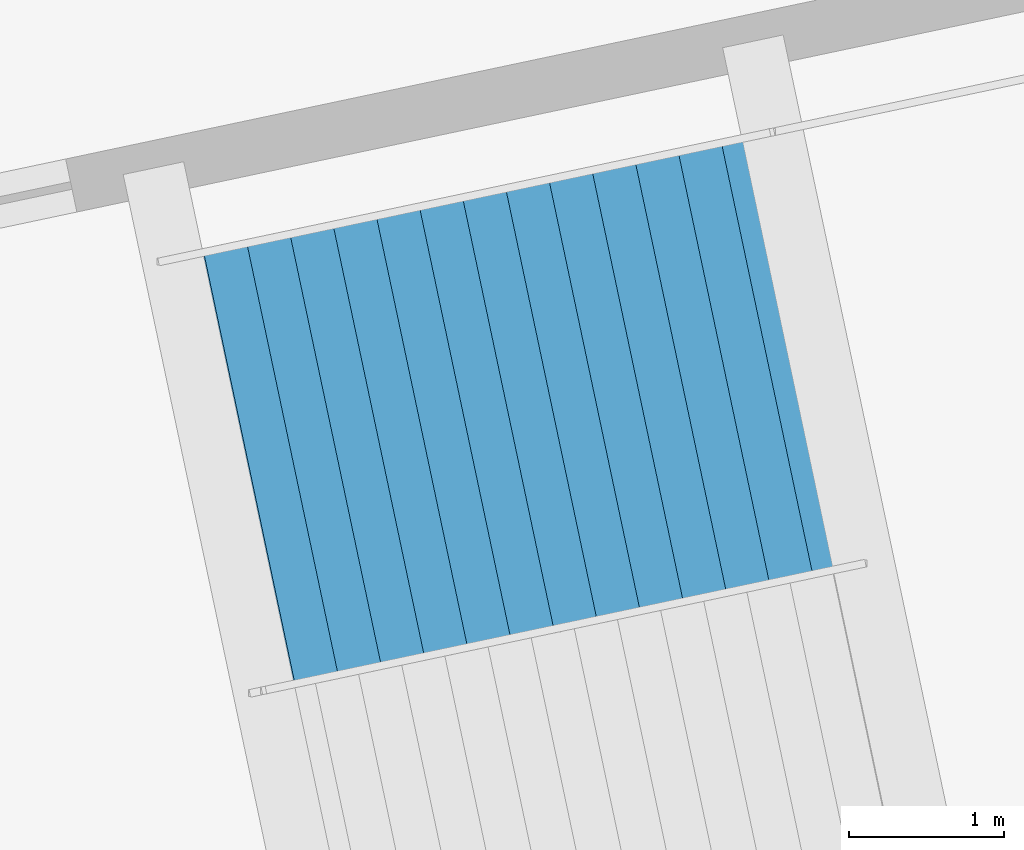
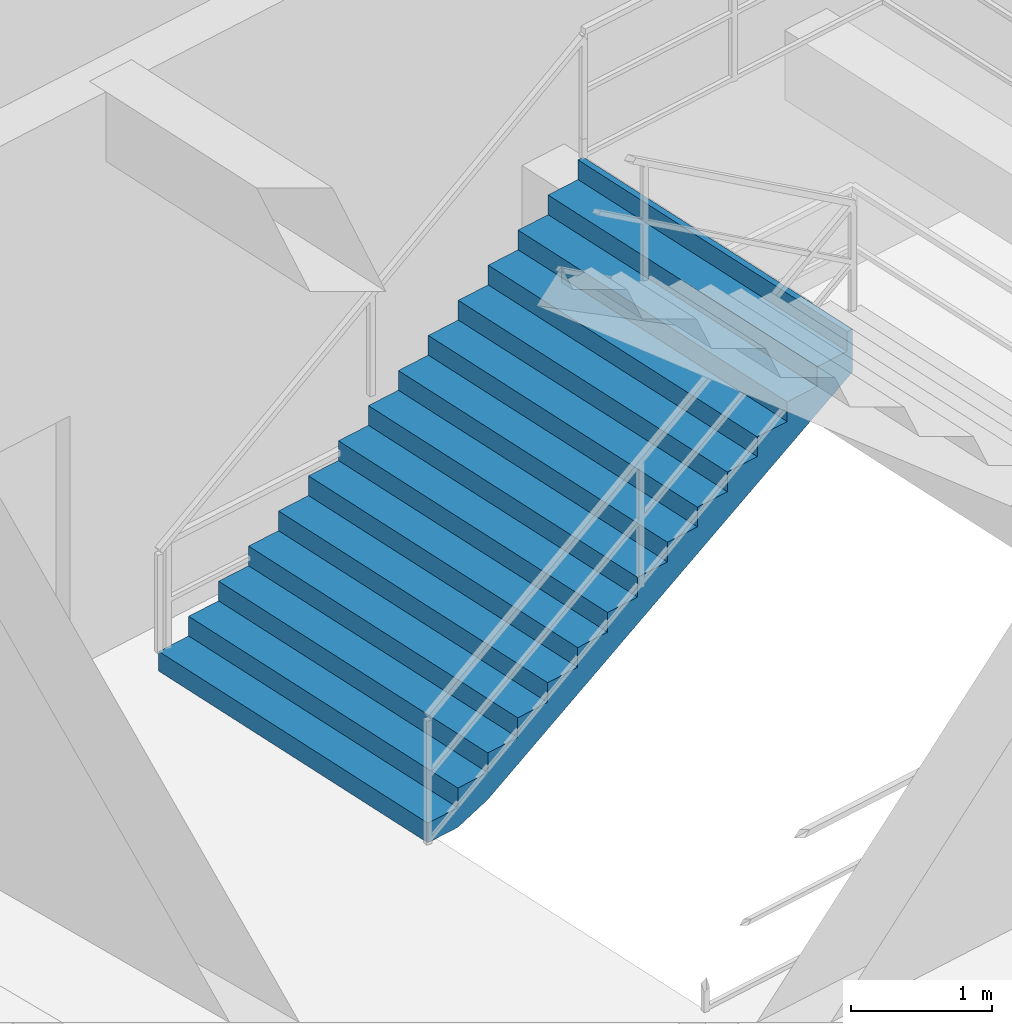
# One storey, part 160 of 184: 1 stair flight, 1 element without a shape of its own.
"""IFC4 building model written with IfcOpenShell, lengths in metres."""

import ifcopenshell
import ifcopenshell.guid

model = None  # the IFC model being written
_history = None  # IfcOwnerHistory: only IFC2X3 demands one
_inside = {}  # id of a spatial element -> (the spatial element, [elements in it])
_under = {}  # id of a project, library or spatial element -> (it, [spatial elements below it])
_declared = {}  # id of a project -> (the project, [libraries it declares])
_typed = {}  # id of a type object -> (the type object, [elements of that type])
_made_of = {}  # id of a material, layer set ... -> (it, [elements and type objects made of it])


def new_model(schema):
    """Start an empty IFC model of exactly this schema.

    Asked for "IFC4X3", IfcOpenShell would pick the latest addendum, in which some entities
    have other attributes; the version numbers below select the first issue.
    IFC2X3 requires an IfcOwnerHistory on every rooted entity: one is made here for all.
    """
    global model, _history
    if schema == "IFC4X3":
        model = ifcopenshell.file(schema_version=(4, 3, 0, 0))
    else:
        model = ifcopenshell.file(schema=schema)
    _inside.clear()
    _under.clear()
    _declared.clear()
    _typed.clear()
    _made_of.clear()
    _history = None
    if model.schema == "IFC2X3":
        org = make("IfcOrganization", Name="unknown")
        user = make(
            "IfcPersonAndOrganization",
            ThePerson=make("IfcPerson", FamilyName="unknown"),
            TheOrganization=org,
        )
        app = make(
            "IfcApplication",
            ApplicationDeveloper=org,
            Version="unknown",
            ApplicationFullName="unknown",
            ApplicationIdentifier="unknown",
        )
        _history = make(
            "IfcOwnerHistory",
            OwningUser=user,
            OwningApplication=app,
            ChangeAction="ADDED",
            CreationDate=0,
        )
    return model


def make(cls, **values):
    """One entity of the class cls with the attributes given. An attribute that is None is left unset."""
    return model.create_entity(
        cls, **{name: value for name, value in values.items() if value is not None}
    )


def rooted(cls, **values):
    """An entity with a GlobalId (a new one), such as an element, a storey or a relation."""
    return make(cls, GlobalId=ifcopenshell.guid.new(), OwnerHistory=_history, **values)


def si_unit(unit_type, name, prefix=None):
    """IfcSIUnit, for example si_unit("LENGTHUNIT", "METRE", prefix="MILLI")."""
    return make("IfcSIUnit", UnitType=unit_type, Prefix=prefix, Name=name)


def assignment(units):
    """IfcUnitAssignment: the units of a project."""
    return None if units is None else make("IfcUnitAssignment", Units=units)


def point(xyz):
    """IfcCartesianPoint."""
    return None if xyz is None else make("IfcCartesianPoint", Coordinates=xyz)


def direction(xyz):
    """IfcDirection."""
    return None if xyz is None else make("IfcDirection", DirectionRatios=xyz)


def frame(location, z_axis=None, x_axis=None):
    """IfcAxis2Placement3D, a coordinate frame: its origin and axes. An axis left out is left unset."""
    return make(
        "IfcAxis2Placement3D",
        Location=point(location),
        Axis=direction(z_axis),
        RefDirection=direction(x_axis),
    )


def origin():
    """The frame at (0, 0, 0) with its axes left unset."""
    return frame((0.0, 0.0, 0.0))


def place(relative_to, where):
    """IfcLocalPlacement: puts the frame where relative to a parent placement (None: the world)."""
    return make(
        "IfcLocalPlacement", PlacementRelTo=relative_to, RelativePlacement=where
    )


def context(
    kind, dimensions, precision=None, world=None, true_north=None, identifier=None
):
    """IfcGeometricRepresentationContext, for example the 3D "Model" context."""
    return make(
        "IfcGeometricRepresentationContext",
        ContextIdentifier=identifier,
        ContextType=kind,
        CoordinateSpaceDimension=dimensions,
        Precision=precision,
        WorldCoordinateSystem=world,
        TrueNorth=true_north,
    )


def subcontext(parent, identifier, kind, view, scale=None):
    """IfcGeometricRepresentationSubContext, for example "Body" below "Model"."""
    return make(
        "IfcGeometricRepresentationSubContext",
        ContextIdentifier=identifier,
        ContextType=kind,
        ParentContext=parent,
        TargetScale=scale,
        TargetView=view,
    )


def project(units=None, contexts=None):
    """IfcProject with its units and contexts."""
    return rooted(
        "IfcProject",
        Name="project",
        RepresentationContexts=contexts,
        UnitsInContext=assignment(units),
    )


def spatial(cls, under=None, at=None, **own):
    """A site, building, storey or space (cls), placed at a placement, below another one or the project."""
    s = rooted(cls, ObjectPlacement=at, **own)
    if under is not None:
        _under.setdefault(under.id(), (under, []))[1].append(s)
    return s


def point_list(points):
    """IfcCartesianPointList2D or 3D."""
    cls = (
        "IfcCartesianPointList2D" if len(points[0]) == 2 else "IfcCartesianPointList3D"
    )
    return make(cls, CoordList=points)


def polygons(points, faces, closed=None, point_numbers=None):
    """IfcPolygonalFaceSet: a face is its outer loop, then its inner loops; points numbered from 1."""
    made = []
    for loops in faces:
        if len(loops) == 1:
            made.append(make("IfcIndexedPolygonalFace", CoordIndex=loops[0]))
        else:
            made.append(
                make(
                    "IfcIndexedPolygonalFaceWithVoids",
                    CoordIndex=loops[0],
                    InnerCoordIndices=loops[1:],
                )
            )
    return make(
        "IfcPolygonalFaceSet",
        Coordinates=point_list(points),
        Closed=closed,
        Faces=made,
        PnIndex=point_numbers,
    )


def shape(context_of_items, identifier, shape_type, items):
    """IfcShapeRepresentation: the items that make up one representation, for example the "Body"."""
    return make(
        "IfcShapeRepresentation",
        ContextOfItems=context_of_items,
        RepresentationIdentifier=identifier,
        RepresentationType=shape_type,
        Items=items,
    )


def material(Name=None, Category=None):
    """IfcMaterial."""
    return make("IfcMaterial", Name=Name, Category=Category)


def made_of(thing, what):
    """Note that an element or type object is made of a material, layer set ...; save() writes the relation."""
    if what is not None:
        _made_of.setdefault(what.id(), (what, []))[1].append(thing)
    return thing


def type_object(cls, material=None, **own):
    """A type object (cls), such as IfcWallType, which elements share."""
    return made_of(rooted(cls, **own), material)


def element(
    cls,
    number,
    at=None,
    inside=None,
    cuts=None,
    type_object=None,
    material=None,
    context=None,
    identifier="Body",
    shape_type=None,
    held_by="IfcProductDefinitionShape",
    body=None,
    shapes=None,
    **own,
):
    """One element of the class cls, such as IfcWall. Its Tag is "e" and its number.

    at: its placement. inside: the storey or other place that contains it. cuts: it is an
    opening in that element (IfcRelVoidsElement). A single representation is given by context,
    identifier, shape_type and body (its items); several are given by shapes. held_by: the class
    of the entity that holds the representations. save() writes the other relations.
    """
    e = rooted(cls, Tag="e%d" % number, ObjectPlacement=at, **own)
    if body is not None:
        shapes = [shape(context, identifier, shape_type, body)]
    if shapes is not None:
        e.Representation = make(held_by, Representations=shapes)
    if inside is not None:
        _inside.setdefault(inside.id(), (inside, []))[1].append(e)
    if cuts is not None:
        rooted(
            "IfcRelVoidsElement", RelatingBuildingElement=cuts, RelatedOpeningElement=e
        )
    if type_object is not None:
        _typed.setdefault(type_object.id(), (type_object, []))[1].append(e)
    return made_of(e, material)


def aggregate(whole, parts):
    """IfcRelAggregates: a whole, such as a stair, and the parts it consists of."""
    return rooted("IfcRelAggregates", RelatingObject=whole, RelatedObjects=parts)


def save(model, path):
    """Write the relations noted so far, then the file.

    IfcRelAggregates (storeys below a building ...), IfcRelContainedInSpatialStructure (elements
    in a storey), IfcRelDefinesByType, IfcRelAssociatesMaterial and IfcRelDeclares: one each for
    every whole, place, type object, material and project.
    """
    for whole, parts in _under.values():
        aggregate(whole, parts)
    for where, things in _inside.values():
        rooted(
            "IfcRelContainedInSpatialStructure",
            RelatedElements=things,
            RelatingStructure=where,
        )
    for kind, things in _typed.values():
        rooted("IfcRelDefinesByType", RelatedObjects=things, RelatingType=kind)
    for what, things in _made_of.values():
        rooted("IfcRelAssociatesMaterial", RelatedObjects=things, RelatingMaterial=what)
    for by, libraries in _declared.values():
        rooted("IfcRelDeclares", RelatingContext=by, RelatedDefinitions=libraries)
    model.write(path)


model = new_model("IFC4")

# Units and contexts
model_context = context("Model", 3, precision=1e-05, world=origin(), true_north=direction((0.0, 1.0)))
body_context = subcontext(model_context, "Body", "Model", "MODEL_VIEW")
ifc_project = project(units=[si_unit("LENGTHUNIT", "METRE"), si_unit("AREAUNIT", "SQUARE_METRE"), si_unit("VOLUMEUNIT", "CUBIC_METRE"), si_unit("PLANEANGLEUNIT", "RADIAN"), si_unit("MASSUNIT", "GRAM", prefix="KILO")], contexts=[model_context])

# Site, building, storey
site_placement = place(None, origin())
site = spatial("IfcSite", under=ifc_project, at=site_placement, CompositionType="ELEMENT")
building_placement = place(site_placement, origin())
building = spatial("IfcBuilding", under=site, at=building_placement, Name="Kazemori Nagisa Stadium", CompositionType="ELEMENT")
storey_placement = place(building_placement, frame((0.0, 0.0, 10.5400390625)))
storey = spatial("IfcBuildingStorey", under=building, at=storey_placement, Name="L02", CompositionType="ELEMENT", Elevation=10.5400390625)

# Stair, stair flight
ifc_material = material(Name="Concrete C36/45 (Fc36)", Category="concrete")
stair_type = type_object("IfcStairType", Name="Stair_CORE_30", PredefinedType="TWO_STRAIGHT_RUN_STAIR", material=ifc_material)
stair_placement = place(storey_placement, origin())
stair = element("IfcStair", 1, at=stair_placement, inside=storey, type_object=stair_type, Name="Exit stair ST06 L02", PredefinedType="TWO_STRAIGHT_RUN_STAIR")
stair_flight_type = type_object("IfcStairFlightType", Name="Flight_CORE_15", PredefinedType="STRAIGHT", material=ifc_material)
stair_flight_placement = place(storey_placement, frame((145.99365234375, 24.9423828125, 0.0), z_axis=(0.0, 0.0, 1.0), x_axis=(0.978340886774, 0.207000263929, 0.0)))
stair_flight = element("IfcStairFlight", 2, at=stair_flight_placement, type_object=stair_flight_type, Name="Exit stair ST06 L02 flight 1", NumberOfRisers=15, NumberOfTreads=14, PredefinedType="STRAIGHT", RiserHeight=0.17, TreadLength=0.285, context=body_context, shape_type="Tessellation", body=[
    polygons([(0.0, -1.425048828125, 0.0), (0.0, -1.425048828125, 0.169921875), (0.284912109375, -1.425048828125, 0.169921875), (0.284912109375, -1.425048828125, 0.340087890625), (0.570068359375, -1.425048828125, 0.340087890625), (0.570068359375, -1.425048828125, 0.510009765625), (0.85498046875, -1.425048828125, 0.510009765625), (0.85498046875, -1.425048828125, 0.679931640625), (1.139892578125, -1.425048828125, 0.679931640625), (1.139892578125, -1.425048828125, 0.85009765625), (1.425048828125, -1.425048828125, 0.85009765625), (1.425048828125, -1.425048828125, 1.02001953125), (1.7099609375, -1.425048828125, 1.02001953125), (1.7099609375, -1.425048828125, 1.18994140625), (1.9951171875, -1.425048828125, 1.18994140625), (1.9951171875, -1.425048828125, 1.360107421875), (2.280029296875, -1.425048828125, 1.360107421875), (2.280029296875, -1.425048828125, 1.530029296875), (2.56494140625, -1.425048828125, 1.530029296875), (2.56494140625, -1.425048828125, 1.699951171875), (2.85009765625, -1.425048828125, 1.699951171875), (2.85009765625, -1.425048828125, 1.8701171875), (3.135009765625, -1.425048828125, 1.8701171875), (3.135009765625, -1.425048828125, 2.0400390625), (3.419921875, -1.425048828125, 2.0400390625), (3.419921875, -1.425048828125, 2.2099609375), (3.705078125, -1.425048828125, 2.2099609375), (3.705078125, -1.425048828125, 2.3798828125), (3.989990234375, -1.425048828125, 2.3798828125), (3.989990234375, -1.425048828125, 2.550048828125), (4.0400390625, -1.425048828125, 2.550048828125), (4.0400390625, -1.425048828125, 2.177001953125), (3.989990234375, -1.425048828125, 2.147216796875), (3.705078125, -1.425048828125, 1.977294921875), (3.419921875, -1.425048828125, 1.80712890625), (3.135009765625, -1.425048828125, 1.63720703125), (2.85009765625, -1.425048828125, 1.46728515625), (2.56494140625, -1.425048828125, 1.297119140625), (2.280029296875, -1.425048828125, 1.127197265625), (1.9951171875, -1.425048828125, 0.957275390625), (1.7099609375, -1.425048828125, 0.787109375), (1.425048828125, -1.425048828125, 0.6171875), (1.139892578125, -1.425048828125, 0.447265625), (0.85498046875, -1.425048828125, 0.277099609375), (0.570068359375, -1.425048828125, 0.107177734375), (0.284912109375, -1.425048828125, 0.0), (0.0, -0.08544921875, 0.0), (0.0, -0.08544921875, 0.169921875), (0.284912109375, -0.08544921875, 0.169921875), (0.284912109375, -0.08544921875, 0.340087890625), (0.570068359375, -0.08544921875, 0.340087890625), (0.570068359375, -0.08544921875, 0.510009765625), (0.85498046875, -0.08544921875, 0.510009765625), (0.85498046875, -0.08544921875, 0.679931640625), (1.139892578125, -0.08544921875, 0.679931640625), (1.139892578125, -0.08544921875, 0.85009765625), (1.425048828125, -0.08544921875, 0.85009765625), (1.425048828125, -0.08544921875, 1.02001953125), (1.7099609375, -0.08544921875, 1.02001953125), (1.7099609375, -0.08544921875, 1.18994140625), (1.9951171875, -0.08544921875, 1.18994140625), (1.9951171875, -0.08544921875, 1.360107421875), (2.280029296875, -0.08544921875, 1.360107421875), (2.280029296875, -0.08544921875, 1.530029296875), (2.56494140625, -0.08544921875, 1.530029296875), (2.56494140625, -0.08544921875, 1.699951171875), (2.85009765625, -0.08544921875, 1.699951171875), (2.85009765625, -0.08544921875, 1.8701171875), (3.135009765625, -0.08544921875, 1.8701171875), (3.135009765625, -0.08544921875, 2.0400390625), (3.419921875, -0.08544921875, 2.0400390625), (3.419921875, -0.08544921875, 2.2099609375), (3.705078125, -0.08544921875, 2.2099609375), (3.705078125, -0.08544921875, 2.3798828125), (3.989990234375, -0.08544921875, 2.3798828125), (3.989990234375, -0.08544921875, 2.550048828125), (4.0400390625, -0.08544921875, 2.550048828125), (4.0400390625, -0.08544921875, 2.177001953125), (3.989990234375, -0.08544921875, 2.147216796875), (3.705078125, -0.08544921875, 1.977294921875), (3.419921875, -0.08544921875, 1.80712890625), (3.135009765625, -0.08544921875, 1.63720703125), (2.85009765625, -0.08544921875, 1.46728515625), (2.56494140625, -0.08544921875, 1.297119140625), (2.280029296875, -0.08544921875, 1.127197265625), (1.9951171875, -0.08544921875, 0.957275390625), (1.7099609375, -0.08544921875, 0.787109375), (1.425048828125, -0.08544921875, 0.6171875), (1.139892578125, -0.08544921875, 0.447265625), (0.85498046875, -0.08544921875, 0.277099609375), (0.570068359375, -0.08544921875, 0.107177734375), (0.284912109375, -0.08544921875, 0.0), (0.0, 0.0, 0.0), (0.0, 0.0, 0.169921875), (0.284912109375, 0.0, 0.169921875), (0.284912109375, 0.0, 0.340087890625), (0.570068359375, 0.0, 0.340087890625), (0.570068359375, 0.0, 0.510009765625), (0.85498046875, 0.0, 0.510009765625), (0.85498046875, 0.0, 0.679931640625), (1.139892578125, 0.0, 0.679931640625), (1.139892578125, 0.0, 0.85009765625), (1.425048828125, 0.0, 0.85009765625), (1.425048828125, 0.0, 1.02001953125), (1.7099609375, 0.0, 1.02001953125), (1.7099609375, 0.0, 1.18994140625), (1.9951171875, 0.0, 1.18994140625), (1.9951171875, 0.0, 1.360107421875), (2.280029296875, 0.0, 1.360107421875), (2.280029296875, 0.0, 1.530029296875), (2.56494140625, 0.0, 1.530029296875), (2.56494140625, 0.0, 1.699951171875), (2.85009765625, 0.0, 1.699951171875), (2.85009765625, 0.0, 1.8701171875), (3.135009765625, 0.0, 1.8701171875), (3.135009765625, 0.0, 2.0400390625), (3.419921875, 0.0, 2.0400390625), (3.419921875, 0.0, 2.2099609375), (3.705078125, 0.0, 2.2099609375), (3.705078125, 0.0, 2.3798828125), (3.989990234375, 0.0, 2.3798828125), (3.989990234375, 0.0, 2.550048828125), (4.0400390625, 0.0, 2.550048828125), (4.0400390625, 0.0, 2.177001953125), (3.989990234375, 0.0, 2.147216796875), (3.705078125, 0.0, 1.977294921875), (3.419921875, 0.0, 1.80712890625), (3.135009765625, 0.0, 1.63720703125), (2.85009765625, 0.0, 1.46728515625), (2.56494140625, 0.0, 1.297119140625), (2.280029296875, 0.0, 1.127197265625), (1.9951171875, 0.0, 0.957275390625), (1.7099609375, 0.0, 0.787109375), (1.425048828125, 0.0, 0.6171875), (1.139892578125, 0.0, 0.447265625), (0.85498046875, 0.0, 0.277099609375), (0.570068359375, 0.0, 0.107177734375), (0.284912109375, 0.0, 0.0), (0.0, 0.08544921875, 0.0), (0.0, 0.08544921875, 0.169921875), (0.284912109375, 0.08544921875, 0.169921875), (0.284912109375, 0.08544921875, 0.340087890625), (0.570068359375, 0.08544921875, 0.340087890625), (0.570068359375, 0.08544921875, 0.510009765625), (0.85498046875, 0.08544921875, 0.510009765625), (0.85498046875, 0.08544921875, 0.679931640625), (1.139892578125, 0.08544921875, 0.679931640625), (1.139892578125, 0.08544921875, 0.85009765625), (1.425048828125, 0.08544921875, 0.85009765625), (1.425048828125, 0.08544921875, 1.02001953125), (1.7099609375, 0.08544921875, 1.02001953125), (1.7099609375, 0.08544921875, 1.18994140625), (1.9951171875, 0.08544921875, 1.18994140625), (1.9951171875, 0.08544921875, 1.360107421875), (2.280029296875, 0.08544921875, 1.360107421875), (2.280029296875, 0.08544921875, 1.530029296875), (2.56494140625, 0.08544921875, 1.530029296875), (2.56494140625, 0.08544921875, 1.699951171875), (2.85009765625, 0.08544921875, 1.699951171875), (2.85009765625, 0.08544921875, 1.8701171875), (3.135009765625, 0.08544921875, 1.8701171875), (3.135009765625, 0.08544921875, 2.0400390625), (3.419921875, 0.08544921875, 2.0400390625), (3.419921875, 0.08544921875, 2.2099609375), (3.705078125, 0.08544921875, 2.2099609375), (3.705078125, 0.08544921875, 2.3798828125), (3.989990234375, 0.08544921875, 2.3798828125), (3.989990234375, 0.08544921875, 2.550048828125), (4.0400390625, 0.08544921875, 2.550048828125), (4.0400390625, 0.08544921875, 2.177001953125), (3.989990234375, 0.08544921875, 2.147216796875), (3.705078125, 0.08544921875, 1.977294921875), (3.419921875, 0.08544921875, 1.80712890625), (3.135009765625, 0.08544921875, 1.63720703125), (2.85009765625, 0.08544921875, 1.46728515625), (2.56494140625, 0.08544921875, 1.297119140625), (2.280029296875, 0.08544921875, 1.127197265625), (1.9951171875, 0.08544921875, 0.957275390625), (1.7099609375, 0.08544921875, 0.787109375), (1.425048828125, 0.08544921875, 0.6171875), (1.139892578125, 0.08544921875, 0.447265625), (0.85498046875, 0.08544921875, 0.277099609375), (0.570068359375, 0.08544921875, 0.107177734375), (0.284912109375, 0.08544921875, 0.0), (0.0, 1.425048828125, 0.0), (0.0, 1.425048828125, 0.169921875), (0.284912109375, 1.425048828125, 0.169921875), (0.284912109375, 1.425048828125, 0.340087890625), (0.570068359375, 1.425048828125, 0.340087890625), (0.570068359375, 1.425048828125, 0.510009765625), (0.85498046875, 1.425048828125, 0.510009765625), (0.85498046875, 1.425048828125, 0.679931640625), (1.139892578125, 1.425048828125, 0.679931640625), (1.139892578125, 1.425048828125, 0.85009765625), (1.425048828125, 1.425048828125, 0.85009765625), (1.425048828125, 1.425048828125, 1.02001953125), (1.7099609375, 1.425048828125, 1.02001953125), (1.7099609375, 1.425048828125, 1.18994140625), (1.9951171875, 1.425048828125, 1.18994140625), (1.9951171875, 1.425048828125, 1.360107421875), (2.280029296875, 1.425048828125, 1.360107421875), (2.280029296875, 1.425048828125, 1.530029296875), (2.56494140625, 1.425048828125, 1.530029296875), (2.56494140625, 1.425048828125, 1.699951171875), (2.85009765625, 1.425048828125, 1.699951171875), (2.85009765625, 1.425048828125, 1.8701171875), (3.135009765625, 1.425048828125, 1.8701171875), (3.135009765625, 1.425048828125, 2.0400390625), (3.419921875, 1.425048828125, 2.0400390625), (3.419921875, 1.425048828125, 2.2099609375), (3.705078125, 1.425048828125, 2.2099609375), (3.705078125, 1.425048828125, 2.3798828125), (3.989990234375, 1.425048828125, 2.3798828125), (3.989990234375, 1.425048828125, 2.550048828125), (4.0400390625, 1.425048828125, 2.550048828125), (4.0400390625, 1.425048828125, 2.177001953125), (3.989990234375, 1.425048828125, 2.147216796875), (3.705078125, 1.425048828125, 1.977294921875), (3.419921875, 1.425048828125, 1.80712890625), (3.135009765625, 1.425048828125, 1.63720703125), (2.85009765625, 1.425048828125, 1.46728515625), (2.56494140625, 1.425048828125, 1.297119140625), (2.280029296875, 1.425048828125, 1.127197265625), (1.9951171875, 1.425048828125, 0.957275390625), (1.7099609375, 1.425048828125, 0.787109375), (1.425048828125, 1.425048828125, 0.6171875), (1.139892578125, 1.425048828125, 0.447265625), (0.85498046875, 1.425048828125, 0.277099609375), (0.570068359375, 1.425048828125, 0.107177734375), (0.284912109375, 1.425048828125, 0.0)], [[[1, 2, 48]], [[1, 48, 47]], [[2, 3, 49]], [[2, 49, 48]], [[3, 4, 50]], [[3, 50, 49]], [[4, 5, 51]], [[4, 51, 50]], [[5, 6, 52]], [[5, 52, 51]], [[6, 7, 53]], [[6, 53, 52]], [[7, 8, 54]], [[7, 54, 53]], [[8, 9, 55]], [[8, 55, 54]], [[9, 10, 56]], [[9, 56, 55]], [[10, 11, 57]], [[10, 57, 56]], [[11, 12, 58]], [[11, 58, 57]], [[12, 13, 59]], [[12, 59, 58]], [[13, 14, 60]], [[13, 60, 59]], [[14, 15, 61]], [[14, 61, 60]], [[15, 16, 62]], [[15, 62, 61]], [[16, 17, 63]], [[16, 63, 62]], [[17, 18, 64]], [[17, 64, 63]], [[18, 19, 65]], [[18, 65, 64]], [[19, 20, 66]], [[19, 66, 65]], [[20, 21, 67]], [[20, 67, 66]], [[21, 22, 68]], [[21, 68, 67]], [[22, 23, 69]], [[22, 69, 68]], [[23, 24, 70]], [[23, 70, 69]], [[24, 25, 71]], [[24, 71, 70]], [[25, 26, 72]], [[25, 72, 71]], [[26, 27, 73]], [[26, 73, 72]], [[27, 28, 74]], [[27, 74, 73]], [[28, 29, 75]], [[28, 75, 74]], [[29, 30, 76]], [[29, 76, 75]], [[30, 31, 77]], [[30, 77, 76]], [[31, 32, 78]], [[31, 78, 77]], [[32, 33, 79]], [[32, 79, 78]], [[33, 34, 80]], [[33, 80, 79]], [[34, 35, 81]], [[34, 81, 80]], [[35, 36, 82]], [[35, 82, 81]], [[36, 37, 83]], [[36, 83, 82]], [[37, 38, 84]], [[37, 84, 83]], [[38, 39, 85]], [[38, 85, 84]], [[39, 40, 86]], [[39, 86, 85]], [[40, 41, 87]], [[40, 87, 86]], [[41, 42, 88]], [[41, 88, 87]], [[42, 43, 89]], [[42, 89, 88]], [[43, 44, 90]], [[43, 90, 89]], [[44, 45, 91]], [[44, 91, 90]], [[45, 46, 92]], [[45, 92, 91]], [[46, 1, 47]], [[46, 47, 92]], [[47, 48, 94]], [[47, 94, 93]], [[48, 49, 95]], [[48, 95, 94]], [[49, 50, 96]], [[49, 96, 95]], [[50, 51, 97]], [[50, 97, 96]], [[51, 52, 98]], [[51, 98, 97]], [[52, 53, 99]], [[52, 99, 98]], [[53, 54, 100]], [[53, 100, 99]], [[54, 55, 101]], [[54, 101, 100]], [[55, 56, 102]], [[55, 102, 101]], [[56, 57, 103]], [[56, 103, 102]], [[57, 58, 104]], [[57, 104, 103]], [[58, 59, 105]], [[58, 105, 104]], [[59, 60, 106]], [[59, 106, 105]], [[60, 61, 107]], [[60, 107, 106]], [[61, 62, 108]], [[61, 108, 107]], [[62, 63, 109]], [[62, 109, 108]], [[63, 64, 110]], [[63, 110, 109]], [[64, 65, 111]], [[64, 111, 110]], [[65, 66, 112]], [[65, 112, 111]], [[66, 67, 113]], [[66, 113, 112]], [[67, 68, 114]], [[67, 114, 113]], [[68, 69, 115]], [[68, 115, 114]], [[69, 70, 116]], [[69, 116, 115]], [[70, 71, 117]], [[70, 117, 116]], [[71, 72, 118]], [[71, 118, 117]], [[72, 73, 119]], [[72, 119, 118]], [[73, 74, 120]], [[73, 120, 119]], [[74, 75, 121]], [[74, 121, 120]], [[75, 76, 122]], [[75, 122, 121]], [[76, 77, 123]], [[76, 123, 122]], [[77, 78, 124]], [[77, 124, 123]], [[78, 79, 125]], [[78, 125, 124]], [[79, 80, 126]], [[79, 126, 125]], [[80, 81, 127]], [[80, 127, 126]], [[81, 82, 128]], [[81, 128, 127]], [[82, 83, 129]], [[82, 129, 128]], [[83, 84, 130]], [[83, 130, 129]], [[84, 85, 131]], [[84, 131, 130]], [[85, 86, 132]], [[85, 132, 131]], [[86, 87, 133]], [[86, 133, 132]], [[87, 88, 134]], [[87, 134, 133]], [[88, 89, 135]], [[88, 135, 134]], [[89, 90, 136]], [[89, 136, 135]], [[90, 91, 137]], [[90, 137, 136]], [[91, 92, 138]], [[91, 138, 137]], [[92, 47, 93]], [[92, 93, 138]], [[93, 94, 140]], [[93, 140, 139]], [[94, 95, 141]], [[94, 141, 140]], [[95, 96, 142]], [[95, 142, 141]], [[96, 97, 143]], [[96, 143, 142]], [[97, 98, 144]], [[97, 144, 143]], [[98, 99, 145]], [[98, 145, 144]], [[99, 100, 146]], [[99, 146, 145]], [[100, 101, 147]], [[100, 147, 146]], [[101, 102, 148]], [[101, 148, 147]], [[102, 103, 149]], [[102, 149, 148]], [[103, 104, 150]], [[103, 150, 149]], [[104, 105, 151]], [[104, 151, 150]], [[105, 106, 152]], [[105, 152, 151]], [[106, 107, 153]], [[106, 153, 152]], [[107, 108, 154]], [[107, 154, 153]], [[108, 109, 155]], [[108, 155, 154]], [[109, 110, 156]], [[109, 156, 155]], [[110, 111, 157]], [[110, 157, 156]], [[111, 112, 158]], [[111, 158, 157]], [[112, 113, 159]], [[112, 159, 158]], [[113, 114, 160]], [[113, 160, 159]], [[114, 115, 161]], [[114, 161, 160]], [[115, 116, 162]], [[115, 162, 161]], [[116, 117, 163]], [[116, 163, 162]], [[117, 118, 164]], [[117, 164, 163]], [[118, 119, 165]], [[118, 165, 164]], [[119, 120, 166]], [[119, 166, 165]], [[120, 121, 167]], [[120, 167, 166]], [[121, 122, 168]], [[121, 168, 167]], [[122, 123, 169]], [[122, 169, 168]], [[123, 124, 170]], [[123, 170, 169]], [[124, 125, 171]], [[124, 171, 170]], [[125, 126, 172]], [[125, 172, 171]], [[126, 127, 173]], [[126, 173, 172]], [[127, 128, 174]], [[127, 174, 173]], [[128, 129, 175]], [[128, 175, 174]], [[129, 130, 176]], [[129, 176, 175]], [[130, 131, 177]], [[130, 177, 176]], [[131, 132, 178]], [[131, 178, 177]], [[132, 133, 179]], [[132, 179, 178]], [[133, 134, 180]], [[133, 180, 179]], [[134, 135, 181]], [[134, 181, 180]], [[135, 136, 182]], [[135, 182, 181]], [[136, 137, 183]], [[136, 183, 182]], [[137, 138, 184]], [[137, 184, 183]], [[138, 93, 139]], [[138, 139, 184]], [[139, 140, 186]], [[139, 186, 185]], [[140, 141, 187]], [[140, 187, 186]], [[141, 142, 188]], [[141, 188, 187]], [[142, 143, 189]], [[142, 189, 188]], [[143, 144, 190]], [[143, 190, 189]], [[144, 145, 191]], [[144, 191, 190]], [[145, 146, 192]], [[145, 192, 191]], [[146, 147, 193]], [[146, 193, 192]], [[147, 148, 194]], [[147, 194, 193]], [[148, 149, 195]], [[148, 195, 194]], [[149, 150, 196]], [[149, 196, 195]], [[150, 151, 197]], [[150, 197, 196]], [[151, 152, 198]], [[151, 198, 197]], [[152, 153, 199]], [[152, 199, 198]], [[153, 154, 200]], [[153, 200, 199]], [[154, 155, 201]], [[154, 201, 200]], [[155, 156, 202]], [[155, 202, 201]], [[156, 157, 203]], [[156, 203, 202]], [[157, 158, 204]], [[157, 204, 203]], [[158, 159, 205]], [[158, 205, 204]], [[159, 160, 206]], [[159, 206, 205]], [[160, 161, 207]], [[160, 207, 206]], [[161, 162, 208]], [[161, 208, 207]], [[162, 163, 209]], [[162, 209, 208]], [[163, 164, 210]], [[163, 210, 209]], [[164, 165, 211]], [[164, 211, 210]], [[165, 166, 212]], [[165, 212, 211]], [[166, 167, 213]], [[166, 213, 212]], [[167, 168, 214]], [[167, 214, 213]], [[168, 169, 215]], [[168, 215, 214]], [[169, 170, 216]], [[169, 216, 215]], [[170, 171, 217]], [[170, 217, 216]], [[171, 172, 218]], [[171, 218, 217]], [[172, 173, 219]], [[172, 219, 218]], [[173, 174, 220]], [[173, 220, 219]], [[174, 175, 221]], [[174, 221, 220]], [[175, 176, 222]], [[175, 222, 221]], [[176, 177, 223]], [[176, 223, 222]], [[177, 178, 224]], [[177, 224, 223]], [[178, 179, 225]], [[178, 225, 224]], [[179, 180, 226]], [[179, 226, 225]], [[180, 181, 227]], [[180, 227, 226]], [[181, 182, 228]], [[181, 228, 227]], [[182, 183, 229]], [[182, 229, 228]], [[183, 184, 230]], [[183, 230, 229]], [[184, 139, 185]], [[184, 185, 230]], [[3, 2, 1]], [[185, 186, 187]], [[46, 3, 1]], [[185, 187, 230]], [[45, 3, 46]], [[230, 187, 229]], [[5, 3, 45]], [[229, 187, 189]], [[5, 4, 3]], [[187, 188, 189]], [[44, 5, 45]], [[229, 189, 228]], [[7, 5, 44]], [[228, 189, 191]], [[7, 6, 5]], [[189, 190, 191]], [[43, 7, 44]], [[228, 191, 227]], [[9, 7, 43]], [[227, 191, 193]], [[9, 8, 7]], [[191, 192, 193]], [[42, 9, 43]], [[227, 193, 226]], [[11, 9, 42]], [[226, 193, 195]], [[11, 10, 9]], [[193, 194, 195]], [[41, 11, 42]], [[226, 195, 225]], [[13, 11, 41]], [[225, 195, 197]], [[13, 12, 11]], [[195, 196, 197]], [[40, 13, 41]], [[225, 197, 224]], [[15, 13, 40]], [[224, 197, 199]], [[15, 14, 13]], [[197, 198, 199]], [[39, 15, 40]], [[224, 199, 223]], [[17, 15, 39]], [[223, 199, 201]], [[17, 16, 15]], [[199, 200, 201]], [[38, 17, 39]], [[223, 201, 222]], [[19, 17, 38]], [[222, 201, 203]], [[19, 18, 17]], [[201, 202, 203]], [[37, 19, 38]], [[222, 203, 221]], [[21, 19, 37]], [[221, 203, 205]], [[21, 20, 19]], [[203, 204, 205]], [[36, 21, 37]], [[221, 205, 220]], [[23, 21, 36]], [[220, 205, 207]], [[23, 22, 21]], [[205, 206, 207]], [[35, 23, 36]], [[220, 207, 219]], [[25, 23, 35]], [[219, 207, 209]], [[25, 24, 23]], [[207, 208, 209]], [[34, 25, 35]], [[219, 209, 218]], [[27, 25, 34]], [[218, 209, 211]], [[27, 26, 25]], [[209, 210, 211]], [[33, 27, 34]], [[218, 211, 217]], [[29, 27, 33]], [[217, 211, 213]], [[29, 28, 27]], [[211, 212, 213]], [[32, 29, 33]], [[217, 213, 216]], [[31, 29, 32]], [[216, 213, 215]], [[31, 30, 29]], [[213, 214, 215]]], closed=True),
])
aggregate(stair, [stair_flight])

save(model, "model.ifc")
